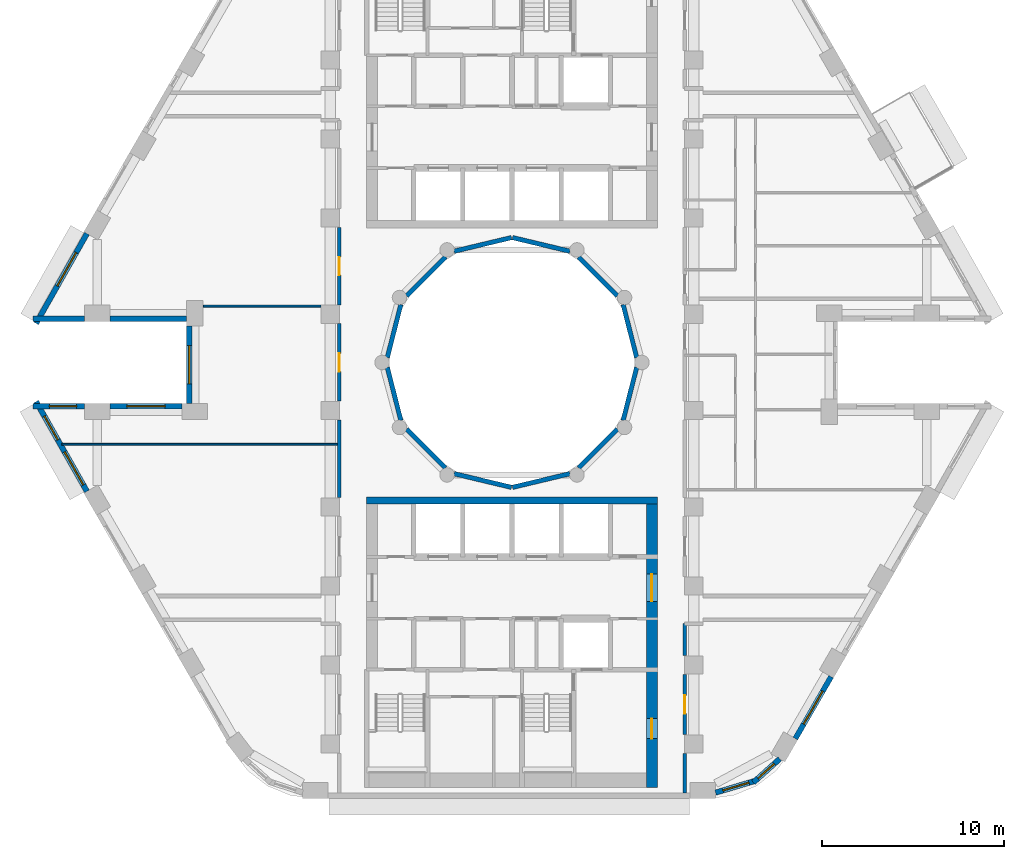
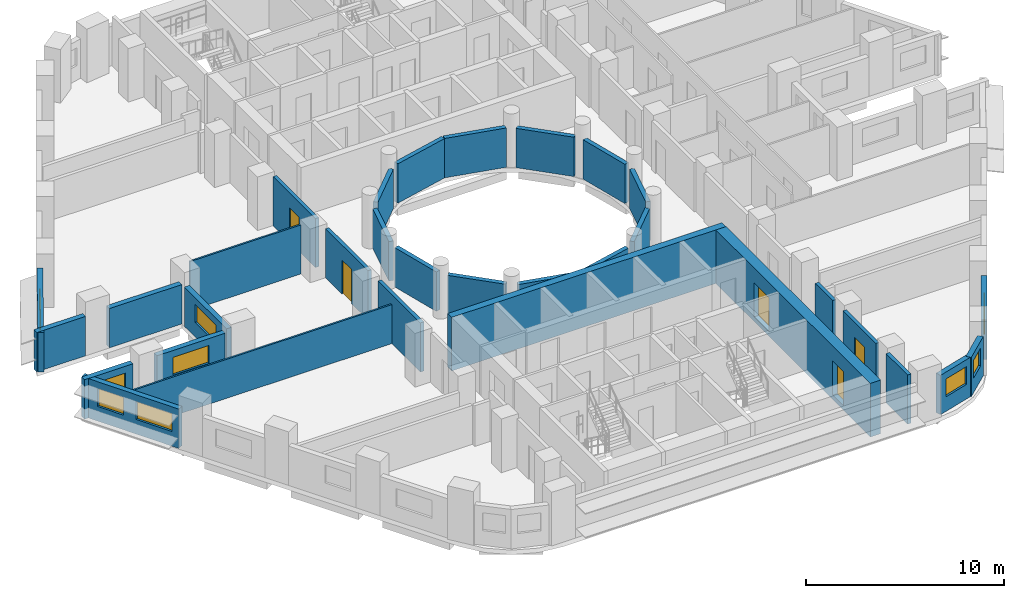
# One storey, part 4 of 13: 32 walls, 9 windows, 5 doors, 14 openings.
"""IFC4 building model written with IfcOpenShell, lengths in metres."""

from ifc_helpers import new_model, si_unit, direction, frame, frame_2d, origin, place, context, subcontext, project, spatial, rectangle, extrude, material, layer, layer_set, type_object, element, fill, save


model = new_model("IFC4")

# Units and contexts
model_context = context("Model", 3, precision=1e-05, world=origin(), true_north=direction((0.0, 1.0)))
body_context = subcontext(model_context, "Body", "Model", "MODEL_VIEW")
ifc_project = project(units=[si_unit("LENGTHUNIT", "METRE"), si_unit("AREAUNIT", "SQUARE_METRE"), si_unit("VOLUMEUNIT", "CUBIC_METRE"), si_unit("PLANEANGLEUNIT", "RADIAN"), si_unit("MASSUNIT", "GRAM", prefix="KILO")], contexts=[model_context])

# Site, building, storey
site_placement = place(None, origin())
site = spatial("IfcSite", under=ifc_project, at=site_placement, CompositionType="ELEMENT")
building_placement = place(site_placement, origin())
building = spatial("IfcBuilding", under=site, at=building_placement, Name="Nakaniwa Court", CompositionType="ELEMENT")
storey_placement = place(building_placement, frame((0.0, 0.0, 81.0)))
storey = spatial("IfcBuildingStorey", under=building, at=storey_placement, Name="L20", CompositionType="ELEMENT", Elevation=81.0)

# Wall
ifc_material_1 = material(Name="Acoustic double stud partition")
ifc_layer_1 = layer(ifc_material_1, 0.199951171875)
ifc_layer_set_1 = layer_set([ifc_layer_1], Name="Acoustic double stud partition")
wall_type_1 = type_object("IfcWallType", Name="Acoustic double stud partition 200", PredefinedType="PARTITIONING", material=ifc_layer_set_1)
wall_1_placement = place(storey_placement, frame((89.5, 56.300048828125, 0.0), z_axis=(0.0, 0.0, 1.0), x_axis=(0.0, 1.0, 0.0)))
element("IfcWall", 1, at=wall_1_placement, inside=storey, type_object=wall_type_1, Name="Partition PW-069", PredefinedType="PARTITIONING", context=body_context, shape_type="SweptSolid", body=[
    extrude(rectangle(XDim=2.182861328125, YDim=0.199951171875, at=frame_2d((1.09130859375, 0.0))), origin(), (0.0, 0.0, 1.0), 3.02490234375),
])

# Wall, opening, door
wall_2_placement = place(storey_placement, frame((89.5, 62.8330078125, 0.0), z_axis=(0.0, 0.0, 1.0), x_axis=(0.0, -1.0, 0.0)))
wall_2 = element("IfcWall", 2, at=wall_2_placement, inside=storey, type_object=wall_type_1, Name="Partition PW-070", PredefinedType="PARTITIONING", context=body_context, shape_type="SweptSolid", body=[
    extrude(rectangle(XDim=3.31591796875, YDim=0.199951171875, at=frame_2d((1.657958984375, 0.0))), origin(), (0.0, 0.0, 1.0), 3.02490234375),
])
opening_1_placement = place(wall_2_placement, frame((1.157958984375, 0.0, 0.0)))
opening_1 = element("IfcOpeningElement", 3, at=opening_1_placement, cuts=wall_2, Name="Opening D-02-08", PredefinedType="OPENING", context=body_context, shape_type="SweptSolid", body=[
    extrude(rectangle(XDim=1.0, YDim=2.10009765625, at=frame_2d((0.5, 1.050048828125))), frame((0.0, 0.10986328125, 0.0), z_axis=(0.0, -1.0, 0.0), x_axis=(1.0, 0.0, 0.0)), (0.0, 0.0, 1.0), 0.219970703125),
])
ifc_material_2 = material(Name="Solid core timber door set, black veneer", Category="wood")
door_type_1 = type_object("IfcDoorType", Name="Internal door 1000", OperationType="NOTDEFINED", PredefinedType="DOOR", material=ifc_material_2)
door_1_placement = place(opening_1_placement, origin())
door_1 = element("IfcDoor", 4, at=door_1_placement, inside=storey, type_object=door_type_1, Name="Door D-02-08 L20-046", OperationType="SINGLE_SWING_LEFT", OverallHeight=2.10009765625, OverallWidth=1.0, PredefinedType="DOOR", context=body_context, shape_type="SweptSolid", body=[
    extrude(rectangle(XDim=1.0, YDim=2.10009765625, at=frame_2d((0.5, 1.050048828125))), frame((0.0, 0.02490234375, 0.0), z_axis=(0.0, -1.0, 0.0), x_axis=(1.0, 0.0, 0.0)), (0.0, 0.0, 1.0), 0.050048828125),
])
fill(opening_1, door_1)

# Walls
wall_3_placement = place(storey_placement, frame((89.5, 63.866943359375, 0.0), z_axis=(0.0, 0.0, 1.0), x_axis=(0.0, 1.0, 0.0)))
element("IfcWall", 5, at=wall_3_placement, inside=storey, type_object=wall_type_1, Name="Partition PW-071", PredefinedType="PARTITIONING", context=body_context, shape_type="SweptSolid", body=[
    extrude(rectangle(XDim=1.760986328125, YDim=0.199951171875, at=frame_2d((0.88037109375, 0.0))), origin(), (0.0, 0.0, 1.0), 3.02490234375),
])
wall_4_placement = place(storey_placement, frame((70.5, 72.56689453125, 0.0), z_axis=(0.0, 0.0, 1.0), x_axis=(0.0, 1.0, 0.0)))
element("IfcWall", 6, at=wall_4_placement, inside=storey, type_object=wall_type_1, Name="Partition PW-099", PredefinedType="PARTITIONING", context=body_context, shape_type="SweptSolid", body=[
    extrude(rectangle(XDim=4.26611328125, YDim=0.199951171875, at=frame_2d((2.133056640625, 0.0))), origin(), (0.0, 0.0, 1.0), 3.02490234375),
])

# Wall, opening, door
wall_5_placement = place(storey_placement, frame((70.5, 77.866943359375, 0.0), z_axis=(0.0, 0.0, 1.0), x_axis=(0.0, 1.0, 0.0)))
wall_5 = element("IfcWall", 7, at=wall_5_placement, inside=storey, type_object=wall_type_1, Name="Partition PW-100", PredefinedType="PARTITIONING", context=body_context, shape_type="SweptSolid", body=[
    extrude(rectangle(XDim=4.26611328125, YDim=0.199951171875, at=frame_2d((2.133056640625, 0.0))), origin(), (0.0, 0.0, 1.0), 3.02490234375),
])
opening_2_placement = place(wall_5_placement, frame((1.633056640625, 0.0, 0.0)))
opening_2 = element("IfcOpeningElement", 8, at=opening_2_placement, cuts=wall_5, Name="Opening D-02-05", PredefinedType="OPENING", context=body_context, shape_type="SweptSolid", body=[
    extrude(rectangle(XDim=1.0, YDim=2.10009765625, at=frame_2d((0.5, 1.050048828125))), frame((0.0, 0.10986328125, 0.0), z_axis=(0.0, -1.0, 0.0), x_axis=(1.0, 0.0, 0.0)), (0.0, 0.0, 1.0), 0.219970703125),
])
door_2_placement = place(opening_2_placement, origin())
door_2 = element("IfcDoor", 9, at=door_2_placement, inside=storey, type_object=door_type_1, Name="Door D-02-05 L20-043", OperationType="SINGLE_SWING_RIGHT", OverallHeight=2.10009765625, OverallWidth=1.0, PredefinedType="DOOR", context=body_context, shape_type="SweptSolid", body=[
    extrude(rectangle(XDim=1.0, YDim=2.10009765625, at=frame_2d((0.5, 1.050048828125))), frame((0.0, 0.02490234375, 0.0), z_axis=(0.0, -1.0, 0.0), x_axis=(1.0, 0.0, 0.0)), (0.0, 0.0, 1.0), 0.050048828125),
])
fill(opening_2, door_2)

wall_6_placement = place(storey_placement, frame((70.5, 83.1669921875, 0.0), z_axis=(0.0, 0.0, 1.0), x_axis=(0.0, 1.0, 0.0)))
wall_6 = element("IfcWall", 10, at=wall_6_placement, inside=storey, type_object=wall_type_1, Name="Partition PW-101", PredefinedType="PARTITIONING", context=body_context, shape_type="SweptSolid", body=[
    extrude(rectangle(XDim=4.26611328125, YDim=0.199951171875, at=frame_2d((2.133056640625, 0.0))), origin(), (0.0, 0.0, 1.0), 3.02490234375),
])
opening_3_placement = place(wall_6_placement, frame((1.633056640625, 0.0, 0.0)))
opening_3 = element("IfcOpeningElement", 11, at=opening_3_placement, cuts=wall_6, Name="Opening D-02-06", PredefinedType="OPENING", context=body_context, shape_type="SweptSolid", body=[
    extrude(rectangle(XDim=1.0, YDim=2.10009765625, at=frame_2d((0.5, 1.050048828125))), frame((0.0, 0.10986328125, 0.0), z_axis=(0.0, -1.0, 0.0), x_axis=(1.0, 0.0, 0.0)), (0.0, 0.0, 1.0), 0.219970703125),
])
door_3_placement = place(opening_3_placement, origin())
door_3 = element("IfcDoor", 12, at=door_3_placement, inside=storey, type_object=door_type_1, Name="Door D-02-06 L20-044", OperationType="SINGLE_SWING_LEFT", OverallHeight=2.10009765625, OverallWidth=1.0, PredefinedType="DOOR", context=body_context, shape_type="SweptSolid", body=[
    extrude(rectangle(XDim=1.0, YDim=2.10009765625, at=frame_2d((0.5, 1.050048828125))), frame((0.0, 0.02490234375, 0.0), z_axis=(0.0, -1.0, 0.0), x_axis=(1.0, 0.0, 0.0)), (0.0, 0.0, 1.0), 0.050048828125),
])
fill(opening_3, door_3)

# Wall, opening, window
ifc_material_3 = material(Name="Charcoal ceramic cladding")
ifc_layer_2 = layer(ifc_material_3, 0.02, Name="Ceramic cladding")
ifc_material_4 = material(Name="Ventilated air cavity")
ifc_layer_3 = layer(ifc_material_4, 0.04, ventilated=True, Name="Ventilated cavity")
ifc_material_5 = material(Name="Mineral wool insulation")
ifc_layer_4 = layer(ifc_material_5, 0.1, Name="Insulation")
ifc_material_6 = material(Name="Cement bonded sheathing board")
ifc_layer_5 = layer(ifc_material_6, 0.012, Name="Sheathing")
ifc_material_7 = material(Name="Cold-formed galvanised stud frame with mineral wool infill")
ifc_layer_6 = layer(ifc_material_7, 0.1, Name="Stud frame")
ifc_material_8 = material(Name="Fire-rated gypsum plasterboard lining")
ifc_layer_7 = layer(ifc_material_8, 0.028, Name="Lining")
ifc_layer_set_2 = layer_set([ifc_layer_2, ifc_layer_3, ifc_layer_4, ifc_layer_5, ifc_layer_6, ifc_layer_7], Name="Charcoal ceramic faced external wall system")
wall_type_2 = type_object("IfcWallType", Name="Black ceramic faced external wall 300", PredefinedType="SOLIDWALL", material=ifc_layer_set_2)
wall_7_placement = place(storey_placement, frame((56.609375, 87.09375, 0.0), z_axis=(0.0, 0.0, 1.0), x_axis=(-0.492456858874, -0.870336855561, 0.0)))
wall_7 = element("IfcWall", 13, at=wall_7_placement, inside=storey, type_object=wall_type_2, Name="L20 external wall 14", PredefinedType="SOLIDWALL", context=body_context, shape_type="SweptSolid", body=[
    extrude(rectangle(XDim=5.676513671875, YDim=0.300048828125, at=frame_2d((2.83837890625, 0.0))), origin(), (0.0, 0.0, 1.0), 2.425048828125),
])
opening_4_placement = place(wall_7_placement, frame((1.208984375, 0.0, 0.89990234375)))
opening_4 = element("IfcOpeningElement", 14, at=opening_4_placement, cuts=wall_7, Name="Opening W7.16", PredefinedType="OPENING", context=body_context, shape_type="SweptSolid", body=[
    extrude(rectangle(XDim=2.10009765625, YDim=1.10009765625, at=frame_2d((1.050048828125, 0.550048828125))), frame((0.0, 0.159912109375, 0.0), z_axis=(0.0, -1.0, 0.0), x_axis=(1.0, 0.0, 0.0)), (0.0, 0.0, 1.0), 0.320068359375),
])
ifc_material_9 = material(Name="Black anodised aluminium frame with dark low-E laminated double glazing", Category="aluminium")
window_type_1 = type_object("IfcWindowType", Name="Dark glass window 2100x1100 sill 900", PartitioningType="SINGLE_PANEL", PredefinedType="WINDOW", material=ifc_material_9)
window_1_placement = place(opening_4_placement, origin())
window_1 = element("IfcWindow", 15, at=window_1_placement, inside=storey, type_object=window_type_1, Name="L20 habitable room window 14-0", OverallHeight=1.10009765625, OverallWidth=2.10009765625, PartitioningType="SINGLE_PANEL", PredefinedType="WINDOW", context=body_context, shape_type="SweptSolid", body=[
    extrude(rectangle(XDim=2.10009765625, YDim=1.10009765625, at=frame_2d((1.050048828125, 0.550048828125))), frame((0.0, 0.030029296875, 0.0), z_axis=(0.0, -1.0, 0.0), x_axis=(1.0, 0.0, 0.0)), (0.0, 0.0, 1.0), 0.06005859375),
])
fill(opening_4, window_1)

# Walls
wall_8_placement = place(storey_placement, frame((53.643310546875, 82.39990234375, 0.0), z_axis=(0.0, 0.0, 1.0), x_axis=(1.0, 0.0, 0.0)))
element("IfcWall", 16, at=wall_8_placement, inside=storey, type_object=wall_type_2, Name="L20 external wall 15", PredefinedType="SOLIDWALL", context=body_context, shape_type="SweptSolid", body=[
    extrude(rectangle(XDim=2.837890625, YDim=0.300048828125, at=frame_2d((1.4189453125, 0.0))), origin(), (0.0, 0.0, 1.0), 2.425048828125),
])
wall_9_placement = place(storey_placement, frame((57.873046875, 82.39990234375, 0.0), z_axis=(0.0, 0.0, 1.0), x_axis=(1.0, 0.0, 0.0)))
element("IfcWall", 17, at=wall_9_placement, inside=storey, type_object=wall_type_2, Name="L20 external wall 16", PredefinedType="SOLIDWALL", context=body_context, shape_type="SweptSolid", body=[
    extrude(rectangle(XDim=4.22265625, YDim=0.300048828125, at=frame_2d((2.111328125, 0.0))), origin(), (0.0, 0.0, 1.0), 2.425048828125),
])

# Wall, opening, window
wall_10_placement = place(storey_placement, frame((62.24169921875, 82.00390625, 0.0), z_axis=(0.0, 0.0, 1.0), x_axis=(0.0, -1.0, 0.0)))
wall_10 = element("IfcWall", 18, at=wall_10_placement, inside=storey, type_object=wall_type_2, Name="L20 external wall 17", PredefinedType="SOLIDWALL", context=body_context, shape_type="SweptSolid", body=[
    extrude(rectangle(XDim=4.2578125, YDim=0.300048828125, at=frame_2d((2.12890625, 0.0))), origin(), (0.0, 0.0, 1.0), 2.425048828125),
])
opening_5_placement = place(wall_10_placement, frame((1.0791015625, 0.0, 0.89990234375)))
opening_5 = element("IfcOpeningElement", 19, at=opening_5_placement, cuts=wall_10, Name="Opening W7.17", PredefinedType="OPENING", context=body_context, shape_type="SweptSolid", body=[
    extrude(rectangle(XDim=2.10009765625, YDim=1.10009765625, at=frame_2d((1.050048828125, 0.550048828125))), frame((0.0, 0.159912109375, 0.0), z_axis=(0.0, -1.0, 0.0), x_axis=(1.0, 0.0, 0.0)), (0.0, 0.0, 1.0), 0.320068359375),
])
window_2_placement = place(opening_5_placement, origin())
window_2 = element("IfcWindow", 20, at=window_2_placement, inside=storey, type_object=window_type_1, Name="L20 habitable room window 17-0", OverallHeight=1.10009765625, OverallWidth=2.10009765625, PartitioningType="SINGLE_PANEL", PredefinedType="WINDOW", context=body_context, shape_type="SweptSolid", body=[
    extrude(rectangle(XDim=2.10009765625, YDim=1.10009765625, at=frame_2d((1.050048828125, 0.550048828125))), frame((0.0, 0.030029296875, 0.0), z_axis=(0.0, -1.0, 0.0), x_axis=(1.0, 0.0, 0.0)), (0.0, 0.0, 1.0), 0.06005859375),
])
fill(opening_5, window_2)

wall_11_placement = place(storey_placement, frame((61.845703125, 77.60009765625, 0.0), z_axis=(0.0, 0.0, 1.0), x_axis=(-1.0, 0.0, 0.0)))
wall_11 = element("IfcWall", 21, at=wall_11_placement, inside=storey, type_object=wall_type_2, Name="L20 external wall 18", PredefinedType="SOLIDWALL", context=body_context, shape_type="SweptSolid", body=[
    extrude(rectangle(XDim=3.97265625, YDim=0.300048828125, at=frame_2d((1.986328125, 0.0))), origin(), (0.0, 0.0, 1.0), 2.425048828125),
])
opening_6_placement = place(wall_11_placement, frame((0.936279296875, 0.0, 0.89990234375)))
opening_6 = element("IfcOpeningElement", 22, at=opening_6_placement, cuts=wall_11, Name="Opening W7.18", PredefinedType="OPENING", context=body_context, shape_type="SweptSolid", body=[
    extrude(rectangle(XDim=2.10009765625, YDim=1.10009765625, at=frame_2d((1.050048828125, 0.550048828125))), frame((0.0, 0.159912109375, 0.0), z_axis=(0.0, -1.0, 0.0), x_axis=(1.0, 0.0, 0.0)), (0.0, 0.0, 1.0), 0.320068359375),
])
window_3_placement = place(opening_6_placement, origin())
window_3 = element("IfcWindow", 23, at=window_3_placement, inside=storey, type_object=window_type_1, Name="L20 habitable room window 18-0", OverallHeight=1.10009765625, OverallWidth=2.10009765625, PartitioningType="SINGLE_PANEL", PredefinedType="WINDOW", context=body_context, shape_type="SweptSolid", body=[
    extrude(rectangle(XDim=2.10009765625, YDim=1.10009765625, at=frame_2d((1.050048828125, 0.550048828125))), frame((0.0, 0.030029296875, 0.0), z_axis=(0.0, -1.0, 0.0), x_axis=(1.0, 0.0, 0.0)), (0.0, 0.0, 1.0), 0.06005859375),
])
fill(opening_6, window_3)

wall_12_placement = place(storey_placement, frame((56.481201171875, 77.60009765625, 0.0), z_axis=(0.0, 0.0, 1.0), x_axis=(-1.0, 0.0, 0.0)))
wall_12 = element("IfcWall", 24, at=wall_12_placement, inside=storey, type_object=wall_type_2, Name="L20 external wall 19", PredefinedType="SOLIDWALL", context=body_context, shape_type="SweptSolid", body=[
    extrude(rectangle(XDim=2.837890625, YDim=0.300048828125, at=frame_2d((1.4189453125, 0.0))), origin(), (0.0, 0.0, 1.0), 2.425048828125),
])
opening_7_placement = place(wall_12_placement, frame((0.44384765625, 0.0, 0.89990234375)))
opening_7 = element("IfcOpeningElement", 25, at=opening_7_placement, cuts=wall_12, Name="Opening W5.19", PredefinedType="OPENING", context=body_context, shape_type="SweptSolid", body=[
    extrude(rectangle(XDim=1.5, YDim=1.10009765625, at=frame_2d((0.75, 0.550048828125))), frame((0.0, 0.159912109375, 0.0), z_axis=(0.0, -1.0, 0.0), x_axis=(1.0, 0.0, 0.0)), (0.0, 0.0, 1.0), 0.320068359375),
])
window_type_2 = type_object("IfcWindowType", Name="Dark glass window 1500x1100 sill 900", PartitioningType="SINGLE_PANEL", PredefinedType="WINDOW", material=ifc_material_9)
window_4_placement = place(opening_7_placement, origin())
window_4 = element("IfcWindow", 26, at=window_4_placement, inside=storey, type_object=window_type_2, Name="L20 habitable room window 19-0", OverallHeight=1.10009765625, OverallWidth=1.5, PartitioningType="SINGLE_PANEL", PredefinedType="WINDOW", context=body_context, shape_type="SweptSolid", body=[
    extrude(rectangle(XDim=1.5, YDim=1.10009765625, at=frame_2d((0.75, 0.550048828125))), frame((0.0, 0.030029296875, 0.0), z_axis=(0.0, -1.0, 0.0), x_axis=(1.0, 0.0, 0.0)), (0.0, 0.0, 1.0), 0.06005859375),
])
fill(opening_7, window_4)

# Wall, openings, windows
wall_13_placement = place(storey_placement, frame((53.81396484375, 77.8466796875, 0.0), z_axis=(0.0, 0.0, 1.0), x_axis=(0.492456858874, -0.870336855561, 0.0)))
wall_13 = element("IfcWall", 27, at=wall_13_placement, inside=storey, type_object=wall_type_2, Name="L20 external wall 20", PredefinedType="SOLIDWALL", context=body_context, shape_type="SweptSolid", body=[
    extrude(rectangle(XDim=5.676513671875, YDim=0.300048828125, at=frame_2d((2.83837890625, 0.0))), origin(), (0.0, 0.0, 1.0), 2.425048828125),
])
opening_8_placement = place(wall_13_placement, frame((0.922119140625, 0.0, 0.89990234375)))
opening_8 = element("IfcOpeningElement", 28, at=opening_8_placement, cuts=wall_13, Name="Opening W5.20", PredefinedType="OPENING", context=body_context, shape_type="SweptSolid", body=[
    extrude(rectangle(XDim=1.5, YDim=1.10009765625, at=frame_2d((0.75, 0.550048828125))), frame((0.0, 0.159912109375, 0.0), z_axis=(0.0, -1.0, 0.0), x_axis=(1.0, 0.0, 0.0)), (0.0, 0.0, 1.0), 0.320068359375),
])
opening_9_placement = place(wall_13_placement, frame((3.171630859375, 0.0, 0.89990234375)))
opening_9 = element("IfcOpeningElement", 29, at=opening_9_placement, cuts=wall_13, Name="Opening W7.21", PredefinedType="OPENING", context=body_context, shape_type="SweptSolid", body=[
    extrude(rectangle(XDim=2.10009765625, YDim=1.10009765625, at=frame_2d((1.050048828125, 0.550048828125))), frame((0.0, 0.159912109375, 0.0), z_axis=(0.0, -1.0, 0.0), x_axis=(1.0, 0.0, 0.0)), (0.0, 0.0, 1.0), 0.320068359375),
])
window_5_placement = place(opening_8_placement, origin())
window_5 = element("IfcWindow", 30, at=window_5_placement, inside=storey, type_object=window_type_2, Name="L20 habitable room window 20-0", OverallHeight=1.10009765625, OverallWidth=1.5, PartitioningType="SINGLE_PANEL", PredefinedType="WINDOW", context=body_context, shape_type="SweptSolid", body=[
    extrude(rectangle(XDim=1.5, YDim=1.10009765625, at=frame_2d((0.75, 0.550048828125))), frame((0.0, 0.030029296875, 0.0), z_axis=(0.0, -1.0, 0.0), x_axis=(1.0, 0.0, 0.0)), (0.0, 0.0, 1.0), 0.06005859375),
])
fill(opening_8, window_5)
window_6_placement = place(opening_9_placement, origin())
window_6 = element("IfcWindow", 31, at=window_6_placement, inside=storey, type_object=window_type_1, Name="L20 habitable room window 20-1", OverallHeight=1.10009765625, OverallWidth=2.10009765625, PartitioningType="SINGLE_PANEL", PredefinedType="WINDOW", context=body_context, shape_type="SweptSolid", body=[
    extrude(rectangle(XDim=2.10009765625, YDim=1.10009765625, at=frame_2d((1.050048828125, 0.550048828125))), frame((0.0, 0.030029296875, 0.0), z_axis=(0.0, -1.0, 0.0), x_axis=(1.0, 0.0, 0.0)), (0.0, 0.0, 1.0), 0.06005859375),
])
fill(opening_9, window_6)

# Wall, opening, window
wall_14_placement = place(storey_placement, frame((91.203369140625, 56.329833984375, 0.0), z_axis=(0.0, 0.0, 1.0), x_axis=(0.95847736903, 0.285168604614, 0.0)))
wall_14 = element("IfcWall", 32, at=wall_14_placement, inside=storey, type_object=wall_type_2, Name="L20 external wall 27", PredefinedType="SOLIDWALL", context=body_context, shape_type="SweptSolid", body=[
    extrude(rectangle(XDim=2.261962890625, YDim=0.300048828125, at=frame_2d((1.130859375, 0.0))), origin(), (0.0, 0.0, 1.0), 2.425048828125),
])
opening_10_placement = place(wall_14_placement, frame((0.418701171875, 0.0, 0.89990234375)))
opening_10 = element("IfcOpeningElement", 33, at=opening_10_placement, cuts=wall_14, Name="Opening W5.27", PredefinedType="OPENING", context=body_context, shape_type="SweptSolid", body=[
    extrude(rectangle(XDim=1.5, YDim=1.10009765625, at=frame_2d((0.75, 0.550048828125))), frame((0.0, 0.159912109375, 0.0), z_axis=(0.0, -1.0, 0.0), x_axis=(1.0, 0.0, 0.0)), (0.0, 0.0, 1.0), 0.320068359375),
])
window_7_placement = place(opening_10_placement, origin())
window_7 = element("IfcWindow", 34, at=window_7_placement, inside=storey, type_object=window_type_2, Name="L20 habitable room window 27-0", OverallHeight=1.10009765625, OverallWidth=1.5, PartitioningType="SINGLE_PANEL", PredefinedType="WINDOW", context=body_context, shape_type="SweptSolid", body=[
    extrude(rectangle(XDim=1.5, YDim=1.10009765625, at=frame_2d((0.75, 0.550048828125))), frame((0.0, 0.030029296875, 0.0), z_axis=(0.0, -1.0, 0.0), x_axis=(1.0, 0.0, 0.0)), (0.0, 0.0, 1.0), 0.06005859375),
])
fill(opening_10, window_7)

wall_15_placement = place(storey_placement, frame((93.283447265625, 56.88671875, 0.0), z_axis=(0.0, 0.0, 1.0), x_axis=(0.743785734967, 0.668418117992, 0.0)))
wall_15 = element("IfcWall", 35, at=wall_15_placement, inside=storey, type_object=wall_type_2, Name="L20 external wall 28", PredefinedType="SOLIDWALL", context=body_context, shape_type="SweptSolid", body=[
    extrude(rectangle(XDim=1.9501953125, YDim=0.300048828125, at=frame_2d((0.97509765625, 0.0))), origin(), (0.0, 0.0, 1.0), 2.425048828125),
])
opening_11_placement = place(wall_15_placement, frame((0.334716796875, 0.0, 0.89990234375)))
opening_11 = element("IfcOpeningElement", 36, at=opening_11_placement, cuts=wall_15, Name="Opening W6.28", PredefinedType="OPENING", context=body_context, shape_type="SweptSolid", body=[
    extrude(rectangle(XDim=1.199951171875, YDim=1.10009765625, at=frame_2d((0.60009765625, 0.550048828125))), frame((0.0, 0.159912109375, 0.0), z_axis=(0.0, -1.0, 0.0), x_axis=(1.0, 0.0, 0.0)), (0.0, 0.0, 1.0), 0.320068359375),
])
window_type_3 = type_object("IfcWindowType", Name="Dark glass window 1200x1100 sill 900", PartitioningType="SINGLE_PANEL", PredefinedType="WINDOW", material=ifc_material_9)
window_8_placement = place(opening_11_placement, origin())
window_8 = element("IfcWindow", 37, at=window_8_placement, inside=storey, type_object=window_type_3, Name="L20 habitable room window 28-0", OverallHeight=1.10009765625, OverallWidth=1.199951171875, PartitioningType="SINGLE_PANEL", PredefinedType="WINDOW", context=body_context, shape_type="SweptSolid", body=[
    extrude(rectangle(XDim=1.199951171875, YDim=1.10009765625, at=frame_2d((0.60009765625, 0.550048828125))), frame((0.0, 0.030029296875, 0.0), z_axis=(0.0, -1.0, 0.0), x_axis=(1.0, 0.0, 0.0)), (0.0, 0.0, 1.0), 0.06005859375),
])
fill(opening_11, window_8)

wall_16_placement = place(storey_placement, frame((95.59033203125, 59.30322265625, 0.0), z_axis=(0.0, 0.0, 1.0), x_axis=(0.500003583557, 0.866023334807, 0.0)))
wall_16 = element("IfcWall", 38, at=wall_16_placement, inside=storey, type_object=wall_type_2, Name="L20 external wall 29", PredefinedType="SOLIDWALL", context=body_context, shape_type="SweptSolid", body=[
    extrude(rectangle(XDim=3.93408203125, YDim=0.300048828125, at=frame_2d((1.967041015625, 0.0))), origin(), (0.0, 0.0, 1.0), 2.425048828125),
])
opening_12_placement = place(wall_16_placement, frame((0.9169921875, 0.0, 0.89990234375)))
opening_12 = element("IfcOpeningElement", 39, at=opening_12_placement, cuts=wall_16, Name="Opening W7.29", PredefinedType="OPENING", context=body_context, shape_type="SweptSolid", body=[
    extrude(rectangle(XDim=2.10009765625, YDim=1.10009765625, at=frame_2d((1.050048828125, 0.550048828125))), frame((0.0, 0.159912109375, 0.0), z_axis=(0.0, -1.0, 0.0), x_axis=(1.0, 0.0, 0.0)), (0.0, 0.0, 1.0), 0.320068359375),
])
window_9_placement = place(opening_12_placement, origin())
window_9 = element("IfcWindow", 40, at=window_9_placement, inside=storey, type_object=window_type_1, Name="L20 habitable room window 29-0", OverallHeight=1.10009765625, OverallWidth=2.10009765625, PartitioningType="SINGLE_PANEL", PredefinedType="WINDOW", context=body_context, shape_type="SweptSolid", body=[
    extrude(rectangle(XDim=2.10009765625, YDim=1.10009765625, at=frame_2d((1.050048828125, 0.550048828125))), frame((0.0, 0.030029296875, 0.0), z_axis=(0.0, -1.0, 0.0), x_axis=(1.0, 0.0, 0.0)), (0.0, 0.0, 1.0), 0.06005859375),
])
fill(opening_12, window_9)

# Walls
ifc_layer_8 = layer(ifc_material_3, 0.02, Name="Ceramic cladding")
ifc_layer_9 = layer(ifc_material_4, 0.04, ventilated=True, Name="Ventilated cavity")
ifc_layer_10 = layer(ifc_material_5, 0.075, Name="Insulation")
ifc_layer_11 = layer(ifc_material_6, 0.012, Name="Sheathing")
ifc_layer_12 = layer(ifc_material_7, 0.075, Name="Stud frame")
ifc_layer_13 = layer(ifc_material_8, 0.028, Name="Lining")
ifc_layer_set_3 = layer_set([ifc_layer_8, ifc_layer_9, ifc_layer_10, ifc_layer_11, ifc_layer_12, ifc_layer_13], Name="Charcoal ceramic faced external wall system")
wall_type_3 = type_object("IfcWallType", Name="Charcoal ceramic faced well wall 250", PredefinedType="SOLIDWALL", material=ifc_layer_set_3)
wall_17_placement = place(storey_placement, frame((86.8603515625, 79.72998046875, 0.0), z_axis=(0.0, 0.0, 1.0), x_axis=(-0.247055971283, -0.969001211069, 0.0)))
element("IfcWall", 41, at=wall_17_placement, inside=storey, type_object=wall_type_3, Name="L20 external wall 36", PredefinedType="SOLIDWALL", context=body_context, shape_type="SweptSolid", body=[
    extrude(rectangle(XDim=3.010009765625, YDim=0.25, at=frame_2d((1.5048828125, 0.0))), origin(), (0.0, 0.0, 1.0), 2.425048828125),
])
wall_18_placement = place(storey_placement, frame((85.8056640625, 76.339111328125, 0.0), z_axis=(0.0, 0.0, 1.0), x_axis=(-0.707106781187, -0.707106781187, 0.0)))
element("IfcWall", 42, at=wall_18_placement, inside=storey, type_object=wall_type_3, Name="L20 external wall 37", PredefinedType="SOLIDWALL", context=body_context, shape_type="SweptSolid", body=[
    extrude(rectangle(XDim=3.033203125, YDim=0.25, at=frame_2d((1.5166015625, 0.0))), origin(), (0.0, 0.0, 1.0), 2.425048828125),
])
for number, where, z_axis, x_axis, name in (
    (43, (83.186279296875, 73.880615234375, 0.0), (0.0, 0.0, 1.0), (-0.972773113459, -0.231759508395, 0.0), "L20 external wall 38"),
    (44, (79.970947265625, 73.12841796875, 0.0), (0.0, 0.0, 1.0), (-0.972773113459, 0.231759508395, 0.0), "L20 external wall 39"),
):
    element("IfcWall", number, at=place(storey_placement, frame(where, z_axis=z_axis, x_axis=x_axis)), inside=storey, type_object=wall_type_3, Name=name, PredefinedType="SOLIDWALL", context=body_context, shape_type="SweptSolid", body=[
        extrude(rectangle(XDim=3.24560546875, YDim=0.25, at=frame_2d((1.622802734375, 0.0))), origin(), (0.0, 0.0, 1.0), 2.425048828125),
    ])
wall_19_placement = place(storey_placement, frame((76.339111328125, 74.1943359375, 0.0), z_axis=(0.0, 0.0, 1.0), x_axis=(-0.707106781187, 0.707106781187, 0.0)))
element("IfcWall", 45, at=wall_19_placement, inside=storey, type_object=wall_type_3, Name="L20 external wall 40", PredefinedType="SOLIDWALL", context=body_context, shape_type="SweptSolid", body=[
    extrude(rectangle(XDim=3.033203125, YDim=0.25, at=frame_2d((1.5166015625, 0.0))), origin(), (0.0, 0.0, 1.0), 2.425048828125),
])
for number, where, z_axis, x_axis, name in (
    (46, (73.88330078125, 76.813232421875, 0.0), (0.0, 0.0, 1.0), (-0.247055971283, 0.969001211069, 0.0), "L20 external wall 41"),
    (47, (73.1396484375, 80.27001953125, 0.0), (0.0, 0.0, 1.0), (0.247055971283, 0.969001211069, 0.0), "L20 external wall 42"),
):
    element("IfcWall", number, at=place(storey_placement, frame(where, z_axis=z_axis, x_axis=x_axis)), inside=storey, type_object=wall_type_3, Name=name, PredefinedType="SOLIDWALL", context=body_context, shape_type="SweptSolid", body=[
        extrude(rectangle(XDim=3.010009765625, YDim=0.25, at=frame_2d((1.5048828125, 0.0))), origin(), (0.0, 0.0, 1.0), 2.425048828125),
    ])
wall_20_placement = place(storey_placement, frame((74.1943359375, 83.660888671875, 0.0), z_axis=(0.0, 0.0, 1.0), x_axis=(0.707106781187, 0.707106781187, 0.0)))
element("IfcWall", 48, at=wall_20_placement, inside=storey, type_object=wall_type_3, Name="L20 external wall 43", PredefinedType="SOLIDWALL", context=body_context, shape_type="SweptSolid", body=[
    extrude(rectangle(XDim=3.033203125, YDim=0.25, at=frame_2d((1.5166015625, 0.0))), origin(), (0.0, 0.0, 1.0), 2.425048828125),
])
for number, where, z_axis, x_axis, name in (
    (49, (76.813720703125, 86.119384765625, 0.0), (0.0, 0.0, 1.0), (0.972773113459, 0.231759508395, 0.0), "L20 external wall 44"),
    (50, (80.029052734375, 86.87158203125, 0.0), (0.0, 0.0, 1.0), (0.972773113459, -0.231759508395, 0.0), "L20 external wall 45"),
):
    element("IfcWall", number, at=place(storey_placement, frame(where, z_axis=z_axis, x_axis=x_axis)), inside=storey, type_object=wall_type_3, Name=name, PredefinedType="SOLIDWALL", context=body_context, shape_type="SweptSolid", body=[
        extrude(rectangle(XDim=3.24560546875, YDim=0.25, at=frame_2d((1.622802734375, 0.0))), origin(), (0.0, 0.0, 1.0), 2.425048828125),
    ])
wall_21_placement = place(storey_placement, frame((83.660888671875, 85.8056640625, 0.0), z_axis=(0.0, 0.0, 1.0), x_axis=(0.707106781187, -0.707106781187, 0.0)))
element("IfcWall", 51, at=wall_21_placement, inside=storey, type_object=wall_type_3, Name="L20 external wall 46", PredefinedType="SOLIDWALL", context=body_context, shape_type="SweptSolid", body=[
    extrude(rectangle(XDim=3.033203125, YDim=0.25, at=frame_2d((1.5166015625, 0.0))), origin(), (0.0, 0.0, 1.0), 2.425048828125),
])
wall_22_placement = place(storey_placement, frame((86.11669921875, 83.186767578125, 0.0), z_axis=(0.0, 0.0, 1.0), x_axis=(0.247055971283, -0.969001211069, 0.0)))
element("IfcWall", 52, at=wall_22_placement, inside=storey, type_object=wall_type_3, Name="L20 external wall 47", PredefinedType="SOLIDWALL", context=body_context, shape_type="SweptSolid", body=[
    extrude(rectangle(XDim=3.010009765625, YDim=0.25, at=frame_2d((1.5048828125, 0.0))), origin(), (0.0, 0.0, 1.0), 2.425048828125),
])

# Wall, openings, doors
ifc_material_10 = material(Name="Concrete C80/100", Category="concrete")
ifc_layer_14 = layer(ifc_material_10, 0.60009765625)
ifc_layer_set_4 = layer_set([ifc_layer_14], Name="Concrete C80/100")
wall_type_4 = type_object("IfcWallType", Name="Concrete core side wall 600 C80", PredefinedType="SHEAR", material=ifc_layer_set_4)
wall_23_placement = place(storey_placement, frame((87.699951171875, 72.199951171875, -0.27490234375), z_axis=(0.0, 0.0, 1.0), x_axis=(0.0, -1.0, 0.0)))
wall_23 = element("IfcWall", 53, at=wall_23_placement, inside=storey, type_object=wall_type_4, Name="Core wall SW-49", PredefinedType="SHEAR", context=body_context, shape_type="SweptSolid", body=[
    extrude(rectangle(XDim=15.599853515625, YDim=0.60009765625, at=frame_2d((7.7998046875, 0.0))), origin(), (0.0, 0.0, 1.0), 3.2998046875),
])
opening_13_placement = place(wall_23_placement, frame((3.85009765625, 0.0, 0.27490234375)))
opening_13 = element("IfcOpeningElement", 54, at=opening_13_placement, cuts=wall_23, Name="Opening D-07-03", PredefinedType="OPENING", context=body_context, shape_type="SweptSolid", body=[
    extrude(rectangle(XDim=1.5, YDim=2.10009765625, at=frame_2d((0.75, 1.050048828125))), frame((0.0, 0.31005859375, 0.0), z_axis=(0.0, -1.0, 0.0), x_axis=(1.0, 0.0, 0.0)), (0.0, 0.0, 1.0), 0.6201171875),
])
opening_14_placement = place(wall_23_placement, frame((11.800048828125, 0.0, 0.27490234375)))
opening_14 = element("IfcOpeningElement", 55, at=opening_14_placement, cuts=wall_23, Name="Opening D-10-02", PredefinedType="OPENING", context=body_context, shape_type="SweptSolid", body=[
    extrude(rectangle(XDim=1.10009765625, YDim=2.10009765625, at=frame_2d((0.550048828125, 1.050048828125))), frame((0.0, 0.31005859375, 0.0), z_axis=(0.0, -1.0, 0.0), x_axis=(1.0, 0.0, 0.0)), (0.0, 0.0, 1.0), 0.6201171875),
])
ifc_material_11 = material(Name="Fire rated steel door set", Category="steel")
door_type_2 = type_object("IfcDoorType", Name="Firefighting lobby door 1100", OperationType="NOTDEFINED", PredefinedType="DOOR", material=ifc_material_11)
door_4_placement = place(opening_14_placement, origin())
door_4 = element("IfcDoor", 56, at=door_4_placement, inside=storey, type_object=door_type_2, Name="Door D-10-02 L20-052", OperationType="SINGLE_SWING_LEFT", OverallHeight=2.10009765625, OverallWidth=1.10009765625, PredefinedType="DOOR", context=body_context, shape_type="SweptSolid", body=[
    extrude(rectangle(XDim=1.10009765625, YDim=2.10009765625, at=frame_2d((0.550048828125, 1.050048828125))), frame((0.0, 0.02490234375, 0.0), z_axis=(0.0, -1.0, 0.0), x_axis=(1.0, 0.0, 0.0)), (0.0, 0.0, 1.0), 0.050048828125),
])
fill(opening_14, door_4)
ifc_material_12 = material(Name="Glazed fire rated steel double door set", Category="steel")
door_type_3 = type_object("IfcDoorType", Name="Lobby double door 1500", OperationType="NOTDEFINED", PredefinedType="DOOR", material=ifc_material_12)
door_5_placement = place(opening_13_placement, origin())
door_5 = element("IfcDoor", 57, at=door_5_placement, inside=storey, type_object=door_type_3, Name="Door D-07-03 L20-050", OperationType="DOUBLE_DOOR_SINGLE_SWING", OverallHeight=2.10009765625, OverallWidth=1.5, PredefinedType="DOOR", context=body_context, shape_type="SweptSolid", body=[
    extrude(rectangle(XDim=1.5, YDim=2.10009765625, at=frame_2d((0.75, 1.050048828125))), frame((0.0, 0.02490234375, 0.0), z_axis=(0.0, -1.0, 0.0), x_axis=(1.0, 0.0, 0.0)), (0.0, 0.0, 1.0), 0.050048828125),
])
fill(opening_13, door_5)

# Walls
ifc_layer_15 = layer(ifc_material_10, 0.39990234375)
ifc_layer_set_5 = layer_set([ifc_layer_15], Name="Concrete C80/100")
wall_type_5 = type_object("IfcWallType", Name="Concrete core well wall 400 C80", PredefinedType="SHEAR", material=ifc_layer_set_5)
wall_24_placement = place(storey_placement, frame((72.00390625, 72.39990234375, -0.27490234375), z_axis=(0.0, 0.0, 1.0), x_axis=(1.0, 0.0, 0.0)))
element("IfcWall", 58, at=wall_24_placement, inside=storey, type_object=wall_type_5, Name="Core wall SW-124", PredefinedType="SHEAR", context=body_context, shape_type="SweptSolid", body=[
    extrude(rectangle(XDim=15.9921875, YDim=0.39990234375, at=frame_2d((7.99609375, 0.0))), origin(), (0.0, 0.0, 1.0), 3.2998046875),
])
ifc_material_13 = material(Name="Single stud plasterboard partition")
ifc_layer_16 = layer(ifc_material_13, 0.10009765625)
ifc_layer_set_6 = layer_set([ifc_layer_16], Name="Single stud plasterboard partition")
wall_type_6 = type_object("IfcWallType", Name="Single stud plasterboard partition 100", PredefinedType="PARTITIONING", material=ifc_layer_set_6)
wall_25_placement = place(storey_placement, frame((55.231689453125, 75.5, 0.0), z_axis=(0.0, 0.0, 1.0), x_axis=(1.0, 0.0, 0.0)))
element("IfcWall", 59, at=wall_25_placement, inside=storey, type_object=wall_type_6, Name="Partition PW-120", PredefinedType="PARTITIONING", context=body_context, shape_type="SweptSolid", body=[
    extrude(rectangle(XDim=15.268310546875, YDim=0.10009765625, at=frame_2d((7.63427734375, 0.0))), origin(), (0.0, 0.0, 1.0), 2.405029296875),
])
wall_26_placement = place(storey_placement, frame((63.01171875, 83.10009765625, 0.0), z_axis=(0.0, 0.0, 1.0), x_axis=(1.0, 0.0, 0.0)))
element("IfcWall", 60, at=wall_26_placement, inside=storey, type_object=wall_type_6, Name="Partition PW-121", PredefinedType="PARTITIONING", context=body_context, shape_type="SweptSolid", body=[
    extrude(rectangle(XDim=6.46826171875, YDim=0.10009765625, at=frame_2d((3.234130859375, 0.0))), origin(), (0.0, 0.0, 1.0), 3.02490234375),
])

save(model, "model.ifc")
